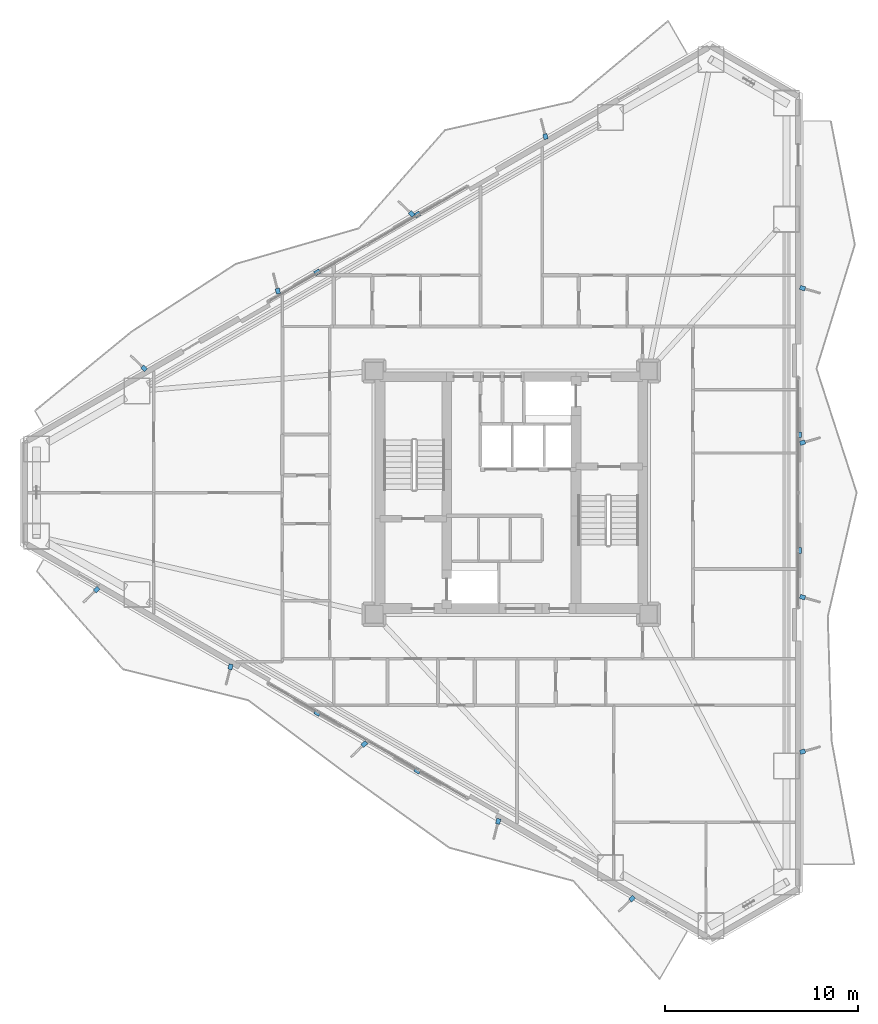
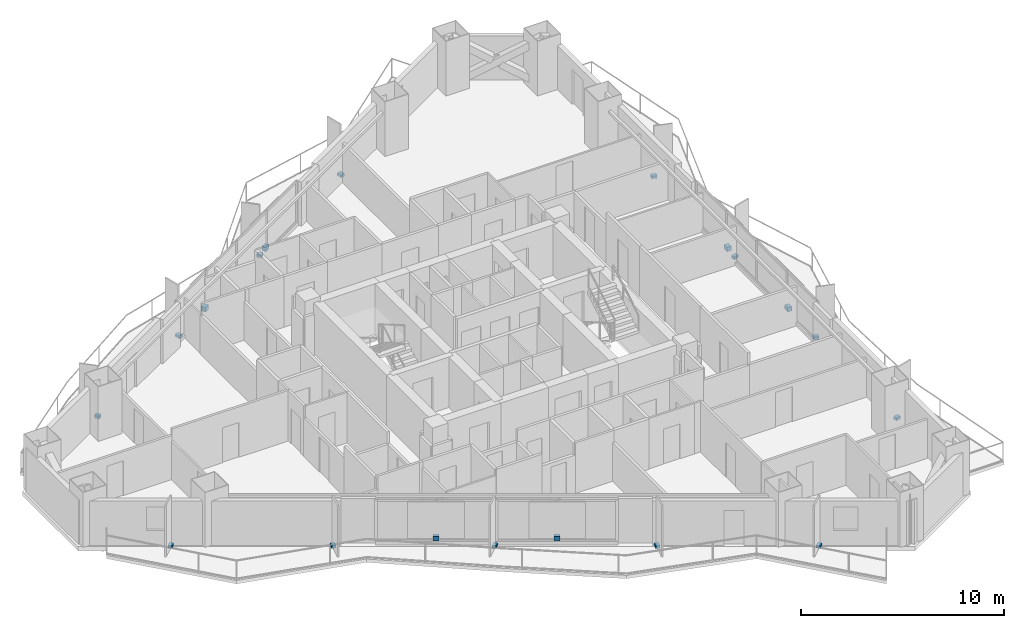
# One storey, part 17 of 19: 19 discrete accessories.
"""IFC4 building model written with IfcOpenShell, lengths in metres."""

from ifc_helpers import new_model, si_unit, direction, frame, origin, origin_2d, place, context, subcontext, project, spatial, rectangle, extrude, material, layer, layer_set, type_object, element, save


model = new_model("IFC4")

# Units and contexts
model_context = context("Model", 3, precision=1e-05, world=origin(), true_north=direction((0.0, 1.0)))
body_context = subcontext(model_context, "Body", "Model", "MODEL_VIEW")
ifc_project = project(units=[si_unit("LENGTHUNIT", "METRE"), si_unit("AREAUNIT", "SQUARE_METRE"), si_unit("VOLUMEUNIT", "CUBIC_METRE"), si_unit("PLANEANGLEUNIT", "RADIAN"), si_unit("MASSUNIT", "GRAM", prefix="KILO")], contexts=[model_context])

# Site, building, storey
site_placement = place(None, origin())
site = spatial("IfcSite", under=ifc_project, at=site_placement, CompositionType="ELEMENT")
building_placement = place(site_placement, origin())
building = spatial("IfcBuilding", under=site, at=building_placement, Name="Mersakhor Tower and Convention Hall", CompositionType="ELEMENT")
storey_placement = place(building_placement, frame((0.0, 0.0, 48.89990234375)))
storey = spatial("IfcBuildingStorey", under=building, at=storey_placement, Name="L13", CompositionType="ELEMENT", Elevation=48.89990234375)

# Discrete accessories
ifc_material = material(Name="Galvanised steel bracket", Category="steel")
ifc_layer = layer(ifc_material, 0.02001953125)
ifc_layer_set = layer_set([ifc_layer], Name="Galvanised steel bracket")
discrete_accessory_type = type_object("IfcDiscreteAccessoryType", Name="ACC-BRK-STL", PredefinedType="BRACKET", material=ifc_layer_set)
for number, where, z_axis, x_axis, name in (
    (1, (18.957763671875, 38.156982421875, 0.2900390625), (0.0, 0.0, 1.0), (0.866025403784, 0.5, 0.0), "L13 Solar Screen Outrigger Bracket BRK-1-1"),
    (2, (24.142333984375, 41.150390625, 0.2900390625), (0.0, 0.0, 1.0), (0.866025403784, 0.5, 0.0), "L13 Solar Screen Outrigger Bracket BRK-1-2"),
):
    element("IfcDiscreteAccessory", number, at=place(storey_placement, frame(where, z_axis=z_axis, x_axis=x_axis)), inside=storey, type_object=discrete_accessory_type, Name=name, PredefinedType="BRACKET", context=body_context, shape_type="SweptSolid", body=[
        extrude(rectangle(XDim=0.300048828125, YDim=0.239990234375, at=origin_2d()), origin(), (0.0, 0.0, 1.0), 0.260009765625),
    ])
for number, where, z_axis, x_axis, name in (
    (3, (9.981689453125, 33.1826171875, -0.02001953125), (0.0, 0.0, 1.0), (-0.719339800339, 0.694658370459, 0.0), "L13 Facade Fin Base Cleat Bracket FBRK-1-1"),
    (4, (16.909912109375, 37.1826171875, -0.02001953125), (0.0, 0.0, 1.0), (-0.2419218956, 0.970295726276, 0.0), "L13 Facade Fin Base Cleat Bracket FBRK-1-2"),
    (5, (23.838134765625, 41.1826171875, -0.02001953125), (0.0, 0.0, 1.0), (-0.719339800339, 0.694658370459, 0.0), "L13 Facade Fin Base Cleat Bracket FBRK-1-3"),
    (6, (30.766357421875, 45.1826171875, -0.02001953125), (0.0, 0.0, 1.0), (-0.2419218956, 0.970295726276, 0.0), "L13 Facade Fin Base Cleat Bracket FBRK-1-4"),
):
    element("IfcDiscreteAccessory", number, at=place(storey_placement, frame(where, z_axis=z_axis, x_axis=x_axis)), inside=storey, type_object=discrete_accessory_type, Name=name, PredefinedType="BRACKET", context=body_context, shape_type="SweptSolid", body=[
        extrude(rectangle(XDim=0.280029296875, YDim=0.219970703125, at=origin_2d()), origin(), (0.0, 0.0, 1.0), 0.159912109375),
    ])
for number, where, z_axis, x_axis, name in (
    (7, (43.89990234375, 29.743408203125, 0.2900390625), (0.0, 0.0, 1.0), (0.0, -1.0, 0.0), "L13 Solar Screen Outrigger Bracket BRK-2-1"),
    (8, (43.89990234375, 23.756591796875, 0.2900390625), (0.0, 0.0, 1.0), (0.0, -1.0, 0.0), "L13 Solar Screen Outrigger Bracket BRK-2-2"),
):
    element("IfcDiscreteAccessory", number, at=place(storey_placement, frame(where, z_axis=z_axis, x_axis=x_axis)), inside=storey, type_object=discrete_accessory_type, Name=name, PredefinedType="BRACKET", context=body_context, shape_type="SweptSolid", body=[
        extrude(rectangle(XDim=0.300048828125, YDim=0.239990234375, at=origin_2d()), origin(), (0.0, 0.0, 1.0), 0.260009765625),
    ])
for number, where, z_axis, x_axis, name in (
    (9, (44.080078125, 37.33740234375, -0.02001953125), (0.0, 0.0, 1.0), (0.961261695938, -0.275637355817, 0.0), "L13 Facade Fin Base Cleat Bracket FBRK-2-1"),
    (10, (44.080078125, 29.33740234375, -0.02001953125), (0.0, 0.0, 1.0), (0.961261695938, 0.275637355817, 0.0), "L13 Facade Fin Base Cleat Bracket FBRK-2-2"),
    (11, (44.080078125, 21.33740234375, -0.02001953125), (0.0, 0.0, 1.0), (0.961261695938, -0.275637355817, 0.0), "L13 Facade Fin Base Cleat Bracket FBRK-2-3"),
    (12, (44.080078125, 13.33740234375, -0.02001953125), (0.0, 0.0, 1.0), (0.961261695938, 0.275637355817, 0.0), "L13 Facade Fin Base Cleat Bracket FBRK-2-4"),
):
    element("IfcDiscreteAccessory", number, at=place(storey_placement, frame(where, z_axis=z_axis, x_axis=x_axis)), inside=storey, type_object=discrete_accessory_type, Name=name, PredefinedType="BRACKET", context=body_context, shape_type="SweptSolid", body=[
        extrude(rectangle(XDim=0.280029296875, YDim=0.219970703125, at=origin_2d()), origin(), (0.0, 0.0, 1.0), 0.159912109375),
    ])
for number, where, z_axis, x_axis, name in (
    (13, (24.14208984375, 12.349609375, 0.2900390625), (0.0, 0.0, 1.0), (-0.866025403784, 0.5, 0.0), "L13 Solar Screen Outrigger Bracket BRK-3-1"),
    (14, (18.957763671875, 15.3427734375, 0.2900390625), (0.0, 0.0, 1.0), (-0.866025403784, 0.5, 0.0), "L13 Solar Screen Outrigger Bracket BRK-3-2"),
):
    element("IfcDiscreteAccessory", number, at=place(storey_placement, frame(where, z_axis=z_axis, x_axis=x_axis)), inside=storey, type_object=discrete_accessory_type, Name=name, PredefinedType="BRACKET", context=body_context, shape_type="SweptSolid", body=[
        extrude(rectangle(XDim=0.300048828125, YDim=0.239990234375, at=origin_2d()), origin(), (0.0, 0.0, 1.0), 0.260009765625),
    ])
for number, where, z_axis, x_axis, name in (
    (15, (35.247802734375, 5.72998046875, -0.02001953125), (0.0, 0.0, 1.0), (-0.719339800339, -0.694658370459, 0.0), "L13 Facade Fin Base Cleat Bracket FBRK-3-1"),
    (16, (28.319580078125, 9.72998046875, -0.02001953125), (0.0, 0.0, 1.0), (-0.2419218956, -0.970295726276, 0.0), "L13 Facade Fin Base Cleat Bracket FBRK-3-2"),
    (17, (21.391357421875, 13.72998046875, -0.02001953125), (0.0, 0.0, 1.0), (-0.719339800339, -0.694658370459, 0.0), "L13 Facade Fin Base Cleat Bracket FBRK-3-3"),
    (18, (14.463134765625, 17.72998046875, -0.02001953125), (0.0, 0.0, 1.0), (-0.2419218956, -0.970295726276, 0.0), "L13 Facade Fin Base Cleat Bracket FBRK-3-4"),
    (19, (7.534912109375, 21.72998046875, -0.02001953125), (0.0, 0.0, 1.0), (-0.719339800339, -0.694658370459, 0.0), "L13 Facade Fin Base Cleat Bracket FBRK-3-5"),
):
    element("IfcDiscreteAccessory", number, at=place(storey_placement, frame(where, z_axis=z_axis, x_axis=x_axis)), inside=storey, type_object=discrete_accessory_type, Name=name, PredefinedType="BRACKET", context=body_context, shape_type="SweptSolid", body=[
        extrude(rectangle(XDim=0.280029296875, YDim=0.219970703125, at=origin_2d()), origin(), (0.0, 0.0, 1.0), 0.159912109375),
    ])

save(model, "model.ifc")
